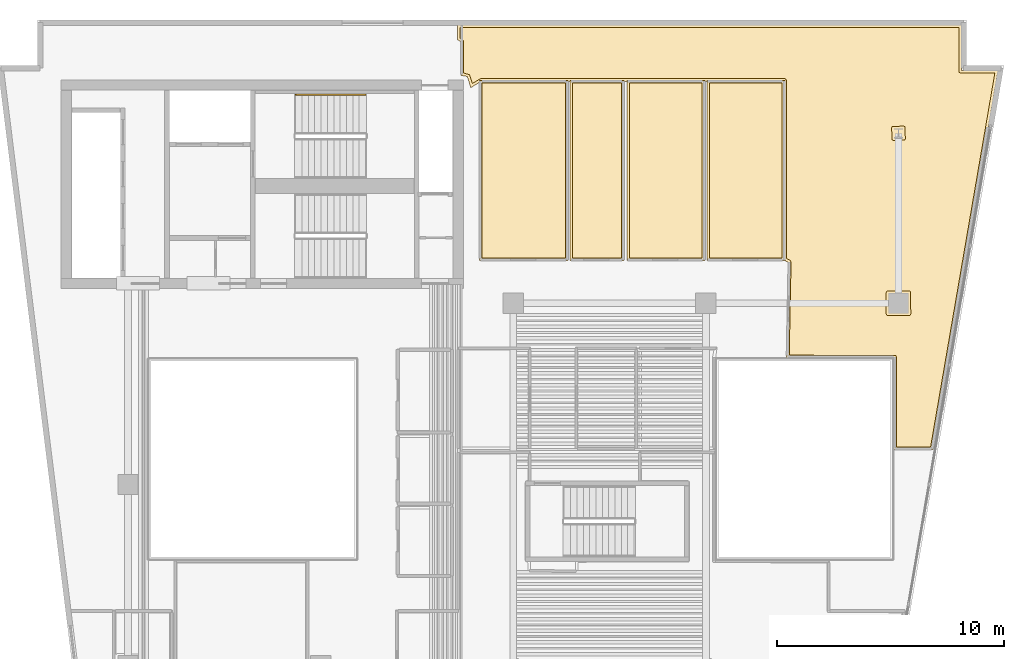
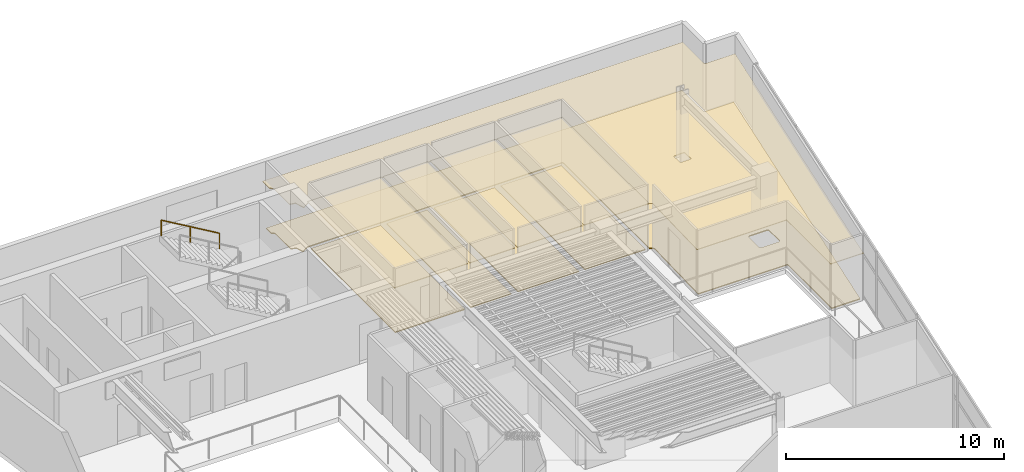
# One storey, part 10 of 10: 10 coverings, 1 railing.
"""IFC4 building model written with IfcOpenShell, lengths in metres."""

from ifc_helpers import new_model, si_unit, direction, frame, origin, origin_2d, place, context, subcontext, project, spatial, polyline, rectangle, outline, extrude, material, layer, layer_set, type_object, element, save


model = new_model("IFC4")

# Units and contexts
model_context = context("Model", 3, precision=1e-05, world=origin(), true_north=direction((0.0, 1.0)))
body_context = subcontext(model_context, "Body", "Model", "MODEL_VIEW")
ifc_project = project(units=[si_unit("LENGTHUNIT", "METRE"), si_unit("AREAUNIT", "SQUARE_METRE"), si_unit("VOLUMEUNIT", "CUBIC_METRE"), si_unit("PLANEANGLEUNIT", "RADIAN"), si_unit("MASSUNIT", "GRAM", prefix="KILO")], contexts=[model_context])

# Site, building, storey
site_placement = place(None, origin())
site = spatial("IfcSite", under=ifc_project, at=site_placement, CompositionType="ELEMENT")
building_placement = place(site_placement, origin())
building = spatial("IfcBuilding", under=site, at=building_placement, Name="Caeloran Harvest Quay", CompositionType="ELEMENT")
storey_placement = place(building_placement, frame((0.0, 0.0, 219.300048828125)))
storey = spatial("IfcBuildingStorey", under=building, at=storey_placement, Name="L52", CompositionType="ELEMENT", Elevation=219.300048828125)

# Coverings
ifc_material_1 = material(Name="Perforated Mineral-Fibre Acoustic Ceiling Tile", Category="ceiling")
ifc_layer_1 = layer(ifc_material_1, 0.0400390625, Name="Perforated Mineral-Fibre Acoustic Ceiling Tile")
ifc_layer_set_1 = layer_set([ifc_layer_1], Name="Perforated Mineral-Fibre Acoustic Ceiling Tile")
covering_type_1 = type_object("IfcCoveringType", Name="COV-CEILING-ACOUSTIC", PredefinedType="CEILING", material=ifc_layer_set_1)
covering_1_placement = place(storey_placement, frame((0.0, 0.0, 2.599853515625)))
element("IfcCovering", 1, at=covering_1_placement, inside=storey, type_object=covering_type_1, Name="L52 Crop Phenotyping West Laboratory Acoustic Ceiling", PredefinedType="CEILING", context=body_context, shape_type="SweptSolid", body=[
    extrude(outline(polyline([(27.919921875, 40.840087890625), (27.919921875, 32.8798828125), (24.010009765625, 32.8798828125), (24.010009765625, 40.840087890625), (27.919921875, 40.840087890625)])), origin(), (0.0, 0.0, 1.0), 0.0400390625),
])
covering_2_placement = place(storey_placement, frame((0.0, 0.0, 2.599853515625)))
element("IfcCovering", 2, at=covering_2_placement, inside=storey, type_object=covering_type_1, Name="L52 Genomics Sequencing East Studio Acoustic Ceiling", PredefinedType="CEILING", context=body_context, shape_type="SweptSolid", body=[
    extrude(outline(polyline([(30.389892578125, 40.840087890625), (30.389892578125, 32.8798828125), (28.0, 32.8798828125), (28.0, 40.840087890625), (30.389892578125, 40.840087890625)])), origin(), (0.0, 0.0, 1.0), 0.0400390625),
])
covering_3_placement = place(storey_placement, frame((0.0, 0.0, 2.599853515625)))
element("IfcCovering", 3, at=covering_3_placement, inside=storey, type_object=covering_type_1, Name="L52 Agri-Genomics West Boardroom Acoustic Ceiling", PredefinedType="CEILING", context=body_context, shape_type="SweptSolid", body=[
    extrude(outline(polyline([(33.9599609375, 40.840087890625), (33.9599609375, 32.8798828125), (30.510009765625, 32.8798828125), (30.510009765625, 40.840087890625), (33.9599609375, 40.840087890625)])), origin(), (0.0, 0.0, 1.0), 0.0400390625),
])
covering_4_placement = place(storey_placement, frame((0.0, 0.0, 2.599853515625)))
element("IfcCovering", 4, at=covering_4_placement, inside=storey, type_object=covering_type_1, Name="L52 Executive Strategy East Office Acoustic Ceiling", PredefinedType="CEILING", context=body_context, shape_type="SweptSolid", body=[
    extrude(outline(polyline([(37.489990234375, 40.840087890625), (37.489990234375, 32.8798828125), (34.0400390625, 32.8798828125), (34.0400390625, 40.840087890625), (37.489990234375, 40.840087890625)])), origin(), (0.0, 0.0, 1.0), 0.0400390625),
])
covering_5_placement = place(storey_placement, frame((0.0, 0.0, 2.599853515625)))
element("IfcCovering", 5, at=covering_5_placement, inside=storey, type_object=covering_type_1, Name="Portfolio Catering Kitchen 10 Acoustic Ceiling", PredefinedType="CEILING", context=body_context, shape_type="SweptSolid", body=[
    extrude(outline(polyline([(44.01806640625, 24.5400390625), (42.2900390625, 24.5400390625), (42.2900390625, 28.590087890625), (37.556884765625, 28.590087890625), (37.639404296875, 32.797119140625), (37.43994140625, 32.91015625), (37.43994140625, 40.7900390625), (24.061767578125, 40.7900390625), (23.62841796875, 40.51025390625), (23.47216796875, 41.00439453125), (23.18994140625, 41.06005859375), (23.18994140625, 42.531494140625), (23.0400390625, 42.6298828125), (23.0400390625, 43.280029296875), (45.280029296875, 43.280029296875), (45.280029296875, 41.280029296875), (46.895263671875, 41.280029296875), (44.01806640625, 24.5400390625)])), origin(), (0.0, 0.0, 1.0), 0.0400390625),
])
ifc_material_2 = material(Name="Calcium-Sulphate Raised Access Floor and Terrazzo Finish", Category="flooring")
ifc_layer_2 = layer(ifc_material_2, 0.050048828125, Name="Calcium-Sulphate Raised Access Floor and Terrazzo Finish")
ifc_layer_set_2 = layer_set([ifc_layer_2], Name="Calcium-Sulphate Raised Access Floor and Terrazzo Finish")
covering_type_2 = type_object("IfcCoveringType", Name="COV-FLOOR-RAISED", PredefinedType="FLOORING", material=ifc_layer_set_2)
covering_6_placement = place(storey_placement, origin())
element("IfcCovering", 6, at=covering_6_placement, inside=storey, type_object=covering_type_2, Name="L52 Crop Phenotyping West Laboratory Raised Finish Flooring", PredefinedType="FLOORING", context=body_context, shape_type="SweptSolid", body=[
    extrude(outline(polyline([(27.800048828125, 40.719970703125), (27.800048828125, 33.0), (24.1298828125, 33.0), (24.1298828125, 40.719970703125), (27.800048828125, 40.719970703125)])), origin(), (0.0, 0.0, 1.0), 0.050048828125),
])
covering_7_placement = place(storey_placement, origin())
element("IfcCovering", 7, at=covering_7_placement, inside=storey, type_object=covering_type_2, Name="L52 Genomics Sequencing East Studio Raised Finish Flooring", PredefinedType="FLOORING", context=body_context, shape_type="SweptSolid", body=[
    extrude(outline(polyline([(30.27001953125, 40.719970703125), (30.27001953125, 33.0), (28.1201171875, 33.0), (28.1201171875, 40.719970703125), (30.27001953125, 40.719970703125)])), origin(), (0.0, 0.0, 1.0), 0.050048828125),
])
covering_8_placement = place(storey_placement, origin())
element("IfcCovering", 8, at=covering_8_placement, inside=storey, type_object=covering_type_2, Name="L52 Agri-Genomics West Boardroom Raised Finish Flooring", PredefinedType="FLOORING", context=body_context, shape_type="SweptSolid", body=[
    extrude(outline(polyline([(33.840087890625, 40.719970703125), (33.840087890625, 33.0), (30.6298828125, 33.0), (30.6298828125, 40.719970703125), (33.840087890625, 40.719970703125)])), origin(), (0.0, 0.0, 1.0), 0.050048828125),
])
covering_9_placement = place(storey_placement, origin())
element("IfcCovering", 9, at=covering_9_placement, inside=storey, type_object=covering_type_2, Name="L52 Executive Strategy East Office Raised Finish Flooring", PredefinedType="FLOORING", context=body_context, shape_type="SweptSolid", body=[
    extrude(outline(polyline([(37.3701171875, 40.719970703125), (37.3701171875, 33.0), (34.159912109375, 33.0), (34.159912109375, 40.719970703125), (37.3701171875, 40.719970703125)])), origin(), (0.0, 0.0, 1.0), 0.050048828125),
])
covering_10_placement = place(storey_placement, origin())
element("IfcCovering", 10, at=covering_10_placement, inside=storey, type_object=covering_type_2, Name="Portfolio Catering Kitchen 10 Raised Finish Flooring", PredefinedType="FLOORING", context=body_context, shape_type="SweptSolid", body=[
    extrude(outline(polyline([(45.159912109375, 43.159912109375), (45.17822265625, 41.189208984375), (45.232177734375, 41.160400390625), (46.752685546875, 41.159912109375), (43.916748046875, 24.659912109375), (42.409912109375, 24.659912109375), (42.409912109375, 28.6298828125), (42.380859375, 28.69189453125), (37.679443359375, 28.7099609375), (37.760009765625, 32.818359375), (37.732177734375, 32.880615234375), (37.56005859375, 32.97998046875), (37.56005859375, 40.830078125), (37.53662109375, 40.88671875), (37.47998046875, 40.909912109375), (24.050048828125, 40.909912109375), (23.6953125, 40.6962890625), (23.564697265625, 41.09033203125), (23.31005859375, 41.15869140625), (23.3095703125, 42.560791015625), (23.2861328125, 42.60986328125), (23.159912109375, 42.694580078125), (23.159912109375, 43.159912109375), (45.159912109375, 43.159912109375)]), holes=[polyline([(43.044921875, 30.534912109375), (43.02685546875, 31.515869140625), (42.972900390625, 31.544677734375), (42.034912109375, 31.544921875), (41.978515625, 31.521484375), (41.955078125, 31.465087890625), (41.955078125, 30.534912109375), (41.978515625, 30.478515625), (42.034912109375, 30.455078125), (42.965087890625, 30.455078125), (43.021484375, 30.478515625), (43.044921875, 30.534912109375)]), polyline([(42.802490234375, 38.254150390625), (42.784912109375, 38.788818359375), (42.730712890625, 38.817626953125), (42.226318359375, 38.7998046875), (42.197021484375, 38.738037109375), (42.215087890625, 38.211181640625), (42.277099609375, 38.181884765625), (42.773681640625, 38.2001953125), (42.802490234375, 38.254150390625)])]), origin(), (0.0, 0.0, 1.0), 0.050048828125),
])

# Railing
ifc_material_3 = material(Name="Brushed Stainless Steel Grade 304", Category="steel")
ifc_layer_3 = layer(ifc_material_3, 0.050048828125, Name="Brushed Stainless Steel Grade 304")
ifc_layer_set_3 = layer_set([ifc_layer_3], Name="Brushed Stainless Steel Grade 304")
railing_type = type_object("IfcRailingType", Name="STAIR-HANDRAIL-900", PredefinedType="HANDRAIL", material=ifc_layer_set_3)
railing_placement = place(storey_placement, frame((18.97998046875, 40.199951171875, 2.1396484375)))
element("IfcRailing", 11, at=railing_placement, inside=storey, type_object=railing_type, Name="L52 ST-C1 stair handrail 2", PredefinedType="HANDRAIL", context=body_context, shape_type="SweptSolid", body=[
    extrude(rectangle(XDim=0.048095703125, YDim=0.048095703125, at=origin_2d()), frame((0.0, 0.0, 0.8759765625), z_axis=(-0.862118610829, 0.0, 0.506706523406), x_axis=(0.0, -1.0, 0.0)), (0.0, 0.0, 1.0), 3.57275390625),
    extrude(rectangle(XDim=0.0419921875, YDim=0.0419921875, at=origin_2d()), origin(), (0.0, 0.0, 1.0), 0.851806640625),
    extrude(rectangle(XDim=0.0419921875, YDim=0.0419921875, at=origin_2d()), frame((-1.5400390625, 0.0, 0.9052734375)), (0.0, 0.0, 1.0), 0.851806640625),
    extrude(rectangle(XDim=0.0419921875, YDim=0.0419921875, at=origin_2d()), frame((-3.080078125, 0.0, 1.810302734375)), (0.0, 0.0, 1.0), 0.851806640625),
])

save(model, "model.ifc")
